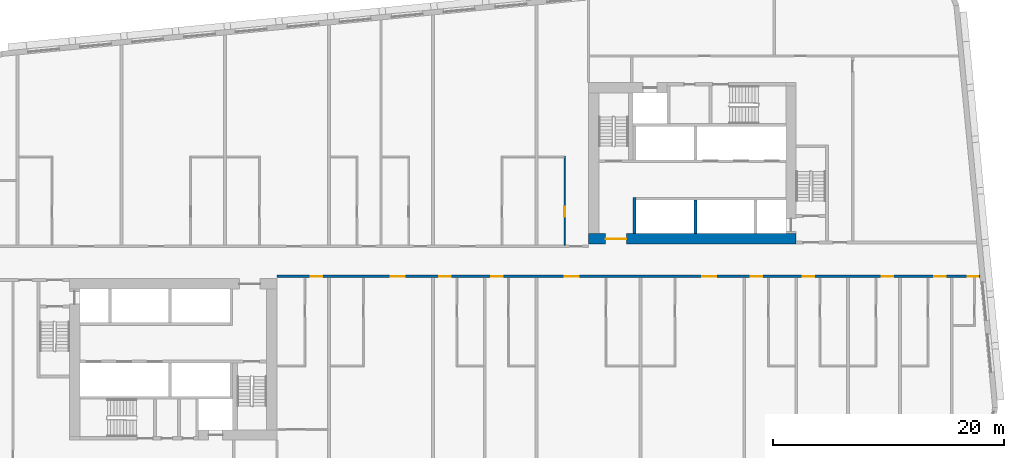
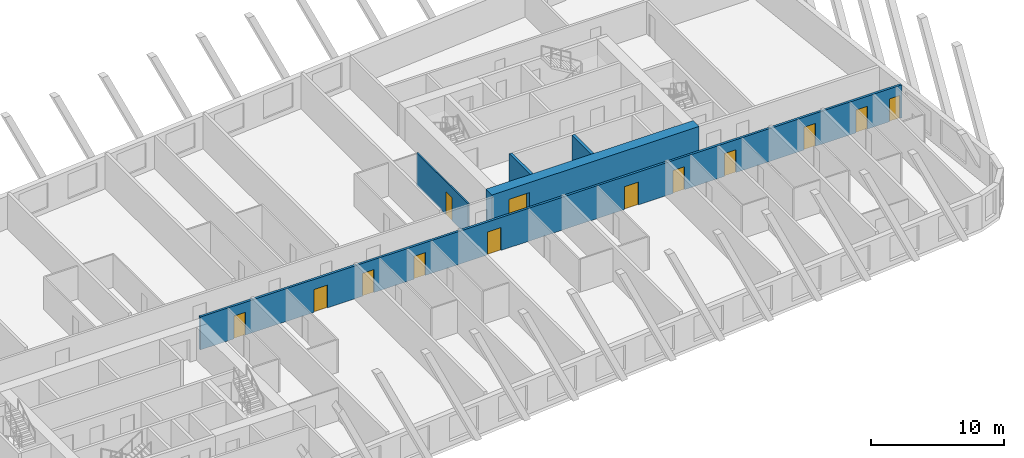
# One storey, part 5 of 13: 13 doors, 5 walls, 13 openings.
"""IFC4 building model written with IfcOpenShell, lengths in metres."""

from ifc_helpers import new_model, si_unit, direction, frame, frame_2d, origin, place, context, subcontext, project, spatial, rectangle, extrude, material, layer, layer_set, type_object, element, fill, save


model = new_model("IFC4")

# Units and contexts
model_context = context("Model", 3, precision=1e-05, world=origin(), true_north=direction((0.0, 1.0)))
body_context = subcontext(model_context, "Body", "Model", "MODEL_VIEW")
ifc_project = project(units=[si_unit("LENGTHUNIT", "METRE"), si_unit("AREAUNIT", "SQUARE_METRE"), si_unit("VOLUMEUNIT", "CUBIC_METRE"), si_unit("PLANEANGLEUNIT", "RADIAN"), si_unit("MASSUNIT", "GRAM", prefix="KILO")], contexts=[model_context])

# Site, building, storey
site_placement = place(None, origin())
site = spatial("IfcSite", under=ifc_project, at=site_placement, CompositionType="ELEMENT")
building_placement = place(site_placement, origin())
building = spatial("IfcBuilding", under=site, at=building_placement, Name="Kajstack Hotel Tower", CompositionType="ELEMENT")
storey_placement = place(building_placement, frame((0.0, 0.0, 130.60009765625)))
storey = spatial("IfcBuildingStorey", under=building, at=storey_placement, Name="L29", CompositionType="ELEMENT", Elevation=130.60009765625)

# Wall, opening, door
ifc_material_1 = material(Name="Concrete C60/75", Category="concrete")
ifc_layer_1 = layer(ifc_material_1, 0.89990234375)
ifc_layer_set_1 = layer_set([ifc_layer_1], Name="Core wall 900")
wall_type_1 = type_object("IfcWallType", Name="Core wall 900", PredefinedType="SHEAR", material=ifc_layer_set_1)
wall_1_placement = place(storey_placement, frame((13.5, 1.949951171875, 0.0), z_axis=(0.0, 0.0, 1.0), x_axis=(1.0, 0.0, 0.0)))
wall_1 = element("IfcWall", 1, at=wall_1_placement, inside=storey, type_object=wall_type_1, Name="Core wall E RN", PredefinedType="SHEAR", context=body_context, shape_type="SweptSolid", body=[
    extrude(rectangle(XDim=18.0, YDim=0.89990234375, at=frame_2d((9.0, 0.0))), origin(), (0.0, 0.0, 1.0), 3.02001953125),
])
opening_1_placement = place(wall_1_placement, frame((1.47509765625, 0.0, 0.0)))
opening_1 = element("IfcOpeningElement", 2, at=opening_1_placement, cuts=wall_1, Name="Opening 29E06", PredefinedType="OPENING", context=body_context, shape_type="SweptSolid", body=[
    extrude(rectangle(XDim=1.800048828125, YDim=2.10009765625, at=frame_2d((0.89990234375, 1.050048828125))), frame((0.0, 0.4599609375, 0.0), z_axis=(0.0, -1.0, 0.0), x_axis=(1.0, 0.0, 0.0)), (0.0, 0.0, 1.0), 0.919921875),
])
ifc_material_2 = material(Name="Glazed steel frame, fire-rated glass", Category="steel")
door_type_1 = type_object("IfcDoorType", Name="Lobby double door 1800", OperationType="DOUBLE_DOOR_DOUBLE_SWING", PredefinedType="DOOR", material=ifc_material_2)
door_1_placement = place(opening_1_placement, origin())
door_1 = element("IfcDoor", 3, at=door_1_placement, inside=storey, type_object=door_type_1, Name="Door 29E06", OperationType="DOUBLE_DOOR_DOUBLE_SWING", OverallHeight=2.10009765625, OverallWidth=1.800048828125, PredefinedType="DOOR", context=body_context, shape_type="SweptSolid", body=[
    extrude(rectangle(XDim=1.800048828125, YDim=2.10009765625, at=frame_2d((0.89990234375, 1.050048828125))), frame((0.0, 0.02490234375, 0.0), z_axis=(0.0, -1.0, 0.0), x_axis=(1.0, 0.0, 0.0)), (0.0, 0.0, 1.0), 0.050048828125),
])
fill(opening_1, door_1)

# Wall, openings, doors
ifc_material_3 = material(Name="Gypsum board on steel studs, mineral wool", Category="steel")
ifc_layer_2 = layer(ifc_material_3, 0.199951171875)
ifc_layer_set_2 = layer_set([ifc_layer_2], Name="Corridor wall 200")
wall_type_2 = type_object("IfcWallType", Name="Corridor wall 200", PredefinedType="PARTITIONING", material=ifc_layer_set_2)
wall_2_placement = place(storey_placement, frame((-13.5, -1.300048828125, 0.0), z_axis=(0.0, 0.0, 1.0), x_axis=(1.0, 0.0, 0.0)))
wall_2 = element("IfcWall", 4, at=wall_2_placement, inside=storey, type_object=wall_type_2, Name="G-wall-L29-021", PredefinedType="PARTITIONING", context=body_context, shape_type="SweptSolid", body=[
    extrude(rectangle(XDim=60.931884765625, YDim=0.199951171875, at=frame_2d((30.4658203125, 0.0))), origin(), (0.0, 0.0, 1.0), 3.02001953125),
])
opening_2_placement = place(wall_2_placement, frame((2.925048828125, 0.0, 0.0)))
opening_2 = element("IfcOpeningElement", 5, at=opening_2_placement, cuts=wall_2, Name="Opening 29017", PredefinedType="OPENING", context=body_context, shape_type="SweptSolid", body=[
    extrude(rectangle(XDim=1.0, YDim=2.10009765625, at=frame_2d((0.5, 1.050048828125))), frame((0.0, 0.10986328125, 0.0), z_axis=(0.0, -1.0, 0.0), x_axis=(1.0, 0.0, 0.0)), (0.0, 0.0, 1.0), 0.219970703125),
])
opening_3_placement = place(wall_2_placement, frame((9.863037109375, 0.0, 0.0)))
opening_3 = element("IfcOpeningElement", 6, at=opening_3_placement, cuts=wall_2, Name="Opening 29020", PredefinedType="OPENING", context=body_context, shape_type="SweptSolid", body=[
    extrude(rectangle(XDim=1.199951171875, YDim=2.10009765625, at=frame_2d((0.60009765625, 1.050048828125))), frame((0.0, 0.10986328125, 0.0), z_axis=(0.0, -1.0, 0.0), x_axis=(1.0, 0.0, 0.0)), (0.0, 0.0, 1.0), 0.219970703125),
])
opening_4_placement = place(wall_2_placement, frame((14.074951171875, 0.0, 0.0)))
opening_4 = element("IfcOpeningElement", 7, at=opening_4_placement, cuts=wall_2, Name="Opening 29022", PredefinedType="OPENING", context=body_context, shape_type="SweptSolid", body=[
    extrude(rectangle(XDim=1.0, YDim=2.10009765625, at=frame_2d((0.5, 1.050048828125))), frame((0.0, 0.10986328125, 0.0), z_axis=(0.0, -1.0, 0.0), x_axis=(1.0, 0.0, 0.0)), (0.0, 0.0, 1.0), 0.219970703125),
])
opening_5_placement = place(wall_2_placement, frame((18.550048828125, 0.0, 0.0)))
opening_5 = element("IfcOpeningElement", 8, at=opening_5_placement, cuts=wall_2, Name="Opening 29024", PredefinedType="OPENING", context=body_context, shape_type="SweptSolid", body=[
    extrude(rectangle(XDim=1.0, YDim=2.10009765625, at=frame_2d((0.5, 1.050048828125))), frame((0.0, 0.10986328125, 0.0), z_axis=(0.0, -1.0, 0.0), x_axis=(1.0, 0.0, 0.0)), (0.0, 0.0, 1.0), 0.219970703125),
])
opening_6_placement = place(wall_2_placement, frame((24.93798828125, 0.0, 0.0)))
opening_6 = element("IfcOpeningElement", 9, at=opening_6_placement, cuts=wall_2, Name="Opening 29026", PredefinedType="OPENING", context=body_context, shape_type="SweptSolid", body=[
    extrude(rectangle(XDim=1.199951171875, YDim=2.10009765625, at=frame_2d((0.60009765625, 1.050048828125))), frame((0.0, 0.10986328125, 0.0), z_axis=(0.0, -1.0, 0.0), x_axis=(1.0, 0.0, 0.0)), (0.0, 0.0, 1.0), 0.219970703125),
])
opening_7_placement = place(wall_2_placement, frame((36.862060546875, 0.0, 0.0)))
opening_7 = element("IfcOpeningElement", 10, at=opening_7_placement, cuts=wall_2, Name="Opening 29028", PredefinedType="OPENING", context=body_context, shape_type="SweptSolid", body=[
    extrude(rectangle(XDim=1.199951171875, YDim=2.10009765625, at=frame_2d((0.60009765625, 1.050048828125))), frame((0.0, 0.10986328125, 0.0), z_axis=(0.0, -1.0, 0.0), x_axis=(1.0, 0.0, 0.0)), (0.0, 0.0, 1.0), 0.219970703125),
])
opening_8_placement = place(wall_2_placement, frame((41.074951171875, 0.0, 0.0)))
opening_8 = element("IfcOpeningElement", 11, at=opening_8_placement, cuts=wall_2, Name="Opening 29030", PredefinedType="OPENING", context=body_context, shape_type="SweptSolid", body=[
    extrude(rectangle(XDim=1.0, YDim=2.10009765625, at=frame_2d((0.5, 1.050048828125))), frame((0.0, 0.10986328125, 0.0), z_axis=(0.0, -1.0, 0.0), x_axis=(1.0, 0.0, 0.0)), (0.0, 0.0, 1.0), 0.219970703125),
])
opening_9_placement = place(wall_2_placement, frame((45.550048828125, 0.0, 0.0)))
opening_9 = element("IfcOpeningElement", 12, at=opening_9_placement, cuts=wall_2, Name="Opening 29032", PredefinedType="OPENING", context=body_context, shape_type="SweptSolid", body=[
    extrude(rectangle(XDim=1.0, YDim=2.10009765625, at=frame_2d((0.5, 1.050048828125))), frame((0.0, 0.10986328125, 0.0), z_axis=(0.0, -1.0, 0.0), x_axis=(1.0, 0.0, 0.0)), (0.0, 0.0, 1.0), 0.219970703125),
])
opening_10_placement = place(wall_2_placement, frame((52.425048828125, 0.0, 0.0)))
opening_10 = element("IfcOpeningElement", 13, at=opening_10_placement, cuts=wall_2, Name="Opening 29034", PredefinedType="OPENING", context=body_context, shape_type="SweptSolid", body=[
    extrude(rectangle(XDim=1.0, YDim=2.10009765625, at=frame_2d((0.5, 1.050048828125))), frame((0.0, 0.10986328125, 0.0), z_axis=(0.0, -1.0, 0.0), x_axis=(1.0, 0.0, 0.0)), (0.0, 0.0, 1.0), 0.219970703125),
])
opening_11_placement = place(wall_2_placement, frame((56.949951171875, 0.0, 0.0)))
opening_11 = element("IfcOpeningElement", 14, at=opening_11_placement, cuts=wall_2, Name="Opening 29037", PredefinedType="OPENING", context=body_context, shape_type="SweptSolid", body=[
    extrude(rectangle(XDim=1.0, YDim=2.10009765625, at=frame_2d((0.5, 1.050048828125))), frame((0.0, 0.10986328125, 0.0), z_axis=(0.0, -1.0, 0.0), x_axis=(1.0, 0.0, 0.0)), (0.0, 0.0, 1.0), 0.219970703125),
])
opening_12_placement = place(wall_2_placement, frame((59.882080078125, 0.0, 0.0)))
opening_12 = element("IfcOpeningElement", 15, at=opening_12_placement, cuts=wall_2, Name="Opening 29039", PredefinedType="OPENING", context=body_context, shape_type="SweptSolid", body=[
    extrude(rectangle(XDim=0.89990234375, YDim=2.10009765625, at=frame_2d((0.449951171875, 1.050048828125))), frame((0.0, 0.10986328125, 0.0), z_axis=(0.0, -1.0, 0.0), x_axis=(1.0, 0.0, 0.0)), (0.0, 0.0, 1.0), 0.219970703125),
])
ifc_material_4 = material(Name="Oak veneer on timber core, fire-rated leaf", Category="wood")
door_type_2 = type_object("IfcDoorType", Name="Flat entrance door 1000", OperationType="SINGLE_SWING_LEFT", PredefinedType="DOOR", material=ifc_material_4)
door_2_placement = place(opening_2_placement, origin())
door_2 = element("IfcDoor", 16, at=door_2_placement, inside=storey, type_object=door_type_2, Name="G-door-L29-17", OperationType="SINGLE_SWING_RIGHT", OverallHeight=2.10009765625, OverallWidth=1.0, PredefinedType="DOOR", context=body_context, shape_type="SweptSolid", body=[
    extrude(rectangle(XDim=1.0, YDim=2.10009765625, at=frame_2d((0.5, 1.050048828125))), frame((0.0, 0.02490234375, 0.0), z_axis=(0.0, -1.0, 0.0), x_axis=(1.0, 0.0, 0.0)), (0.0, 0.0, 1.0), 0.050048828125),
])
fill(opening_2, door_2)
door_3_placement = place(opening_4_placement, origin())
door_3 = element("IfcDoor", 17, at=door_3_placement, inside=storey, type_object=door_type_2, Name="G-door-L29-22", OperationType="SINGLE_SWING_RIGHT", OverallHeight=2.10009765625, OverallWidth=1.0, PredefinedType="DOOR", context=body_context, shape_type="SweptSolid", body=[
    extrude(rectangle(XDim=1.0, YDim=2.10009765625, at=frame_2d((0.5, 1.050048828125))), frame((0.0, 0.02490234375, 0.0), z_axis=(0.0, -1.0, 0.0), x_axis=(1.0, 0.0, 0.0)), (0.0, 0.0, 1.0), 0.050048828125),
])
fill(opening_4, door_3)
door_4_placement = place(opening_5_placement, origin())
door_4 = element("IfcDoor", 18, at=door_4_placement, inside=storey, type_object=door_type_2, Name="G-door-L29-24", OperationType="SINGLE_SWING_LEFT", OverallHeight=2.10009765625, OverallWidth=1.0, PredefinedType="DOOR", context=body_context, shape_type="SweptSolid", body=[
    extrude(rectangle(XDim=1.0, YDim=2.10009765625, at=frame_2d((0.5, 1.050048828125))), frame((0.0, 0.02490234375, 0.0), z_axis=(0.0, -1.0, 0.0), x_axis=(1.0, 0.0, 0.0)), (0.0, 0.0, 1.0), 0.050048828125),
])
fill(opening_5, door_4)
door_5_placement = place(opening_8_placement, origin())
door_5 = element("IfcDoor", 19, at=door_5_placement, inside=storey, type_object=door_type_2, Name="G-door-L29-30", OperationType="SINGLE_SWING_LEFT", OverallHeight=2.10009765625, OverallWidth=1.0, PredefinedType="DOOR", context=body_context, shape_type="SweptSolid", body=[
    extrude(rectangle(XDim=1.0, YDim=2.10009765625, at=frame_2d((0.5, 1.050048828125))), frame((0.0, 0.02490234375, 0.0), z_axis=(0.0, -1.0, 0.0), x_axis=(1.0, 0.0, 0.0)), (0.0, 0.0, 1.0), 0.050048828125),
])
fill(opening_8, door_5)
door_6_placement = place(opening_9_placement, origin())
door_6 = element("IfcDoor", 20, at=door_6_placement, inside=storey, type_object=door_type_2, Name="G-door-L29-32", OperationType="SINGLE_SWING_LEFT", OverallHeight=2.10009765625, OverallWidth=1.0, PredefinedType="DOOR", context=body_context, shape_type="SweptSolid", body=[
    extrude(rectangle(XDim=1.0, YDim=2.10009765625, at=frame_2d((0.5, 1.050048828125))), frame((0.0, 0.02490234375, 0.0), z_axis=(0.0, -1.0, 0.0), x_axis=(1.0, 0.0, 0.0)), (0.0, 0.0, 1.0), 0.050048828125),
])
fill(opening_9, door_6)
door_7_placement = place(opening_10_placement, origin())
door_7 = element("IfcDoor", 21, at=door_7_placement, inside=storey, type_object=door_type_2, Name="G-door-L29-34", OperationType="SINGLE_SWING_LEFT", OverallHeight=2.10009765625, OverallWidth=1.0, PredefinedType="DOOR", context=body_context, shape_type="SweptSolid", body=[
    extrude(rectangle(XDim=1.0, YDim=2.10009765625, at=frame_2d((0.5, 1.050048828125))), frame((0.0, 0.02490234375, 0.0), z_axis=(0.0, -1.0, 0.0), x_axis=(1.0, 0.0, 0.0)), (0.0, 0.0, 1.0), 0.050048828125),
])
fill(opening_10, door_7)
door_8_placement = place(opening_11_placement, origin())
door_8 = element("IfcDoor", 22, at=door_8_placement, inside=storey, type_object=door_type_2, Name="G-door-L29-37", OperationType="SINGLE_SWING_LEFT", OverallHeight=2.10009765625, OverallWidth=1.0, PredefinedType="DOOR", context=body_context, shape_type="SweptSolid", body=[
    extrude(rectangle(XDim=1.0, YDim=2.10009765625, at=frame_2d((0.5, 1.050048828125))), frame((0.0, 0.02490234375, 0.0), z_axis=(0.0, -1.0, 0.0), x_axis=(1.0, 0.0, 0.0)), (0.0, 0.0, 1.0), 0.050048828125),
])
fill(opening_11, door_8)
door_type_3 = type_object("IfcDoorType", Name="Flat entrance door 1200", OperationType="SINGLE_SWING_LEFT", PredefinedType="DOOR", material=ifc_material_4)
door_9_placement = place(opening_3_placement, origin())
door_9 = element("IfcDoor", 23, at=door_9_placement, inside=storey, type_object=door_type_3, Name="G-door-L29-20", OperationType="SINGLE_SWING_LEFT", OverallHeight=2.10009765625, OverallWidth=1.199951171875, PredefinedType="DOOR", context=body_context, shape_type="SweptSolid", body=[
    extrude(rectangle(XDim=1.199951171875, YDim=2.10009765625, at=frame_2d((0.60009765625, 1.050048828125))), frame((0.0, 0.02490234375, 0.0), z_axis=(0.0, -1.0, 0.0), x_axis=(1.0, 0.0, 0.0)), (0.0, 0.0, 1.0), 0.050048828125),
])
fill(opening_3, door_9)
door_10_placement = place(opening_6_placement, origin())
door_10 = element("IfcDoor", 24, at=door_10_placement, inside=storey, type_object=door_type_3, Name="G-door-L29-26", OperationType="SINGLE_SWING_RIGHT", OverallHeight=2.10009765625, OverallWidth=1.199951171875, PredefinedType="DOOR", context=body_context, shape_type="SweptSolid", body=[
    extrude(rectangle(XDim=1.199951171875, YDim=2.10009765625, at=frame_2d((0.60009765625, 1.050048828125))), frame((0.0, 0.02490234375, 0.0), z_axis=(0.0, -1.0, 0.0), x_axis=(1.0, 0.0, 0.0)), (0.0, 0.0, 1.0), 0.050048828125),
])
fill(opening_6, door_10)
door_11_placement = place(opening_7_placement, origin())
door_11 = element("IfcDoor", 25, at=door_11_placement, inside=storey, type_object=door_type_3, Name="G-door-L29-28", OperationType="SINGLE_SWING_RIGHT", OverallHeight=2.10009765625, OverallWidth=1.199951171875, PredefinedType="DOOR", context=body_context, shape_type="SweptSolid", body=[
    extrude(rectangle(XDim=1.199951171875, YDim=2.10009765625, at=frame_2d((0.60009765625, 1.050048828125))), frame((0.0, 0.02490234375, 0.0), z_axis=(0.0, -1.0, 0.0), x_axis=(1.0, 0.0, 0.0)), (0.0, 0.0, 1.0), 0.050048828125),
])
fill(opening_7, door_11)
ifc_material_5 = material(Name="Painted timber door leaf", Category="wood")
door_type_4 = type_object("IfcDoorType", Name="Room door 900", OperationType="SINGLE_SWING_LEFT", PredefinedType="DOOR", material=ifc_material_5)
door_12_placement = place(opening_12_placement, origin())
door_12 = element("IfcDoor", 26, at=door_12_placement, inside=storey, type_object=door_type_4, Name="G-door-L29-39", OperationType="SINGLE_SWING_RIGHT", OverallHeight=2.10009765625, OverallWidth=0.89990234375, PredefinedType="DOOR", context=body_context, shape_type="SweptSolid", body=[
    extrude(rectangle(XDim=0.89990234375, YDim=2.10009765625, at=frame_2d((0.449951171875, 1.050048828125))), frame((0.0, 0.02490234375, 0.0), z_axis=(0.0, -1.0, 0.0), x_axis=(1.0, 0.0, 0.0)), (0.0, 0.0, 1.0), 0.050048828125),
])
fill(opening_12, door_12)

# Wall, opening, door
ifc_material_6 = material(Name="Gypsum board and tiled backer on steel studs", Category="steel")
ifc_layer_3 = layer(ifc_material_6, 0.125)
ifc_layer_set_3 = layer_set([ifc_layer_3], Name="En-suite wall 125")
wall_type_3 = type_object("IfcWallType", Name="En-suite wall 125", PredefinedType="PARTITIONING", material=ifc_layer_set_3)
wall_3_placement = place(storey_placement, frame((11.43798828125, 1.39990234375, 0.0), z_axis=(0.0, 0.0, 1.0), x_axis=(0.0, 1.0, 0.0)))
wall_3 = element("IfcWall", 27, at=wall_3_placement, inside=storey, type_object=wall_type_3, Name="G-wall-L29-019", PredefinedType="PARTITIONING", context=body_context, shape_type="SweptSolid", body=[
    extrude(rectangle(XDim=7.72509765625, YDim=0.125, at=frame_2d((3.862548828125, 0.0))), origin(), (0.0, 0.0, 1.0), 3.02001953125),
])
opening_13_placement = place(wall_3_placement, frame((2.449951171875, 0.0, 0.0)))
opening_13 = element("IfcOpeningElement", 28, at=opening_13_placement, cuts=wall_3, Name="Opening 29016", PredefinedType="OPENING", context=body_context, shape_type="SweptSolid", body=[
    extrude(rectangle(XDim=0.89990234375, YDim=2.10009765625, at=frame_2d((0.449951171875, 1.050048828125))), frame((0.0, 0.072509765625, 0.0), z_axis=(0.0, -1.0, 0.0), x_axis=(1.0, 0.0, 0.0)), (0.0, 0.0, 1.0), 0.14501953125),
])
door_13_placement = place(opening_13_placement, origin())
door_13 = element("IfcDoor", 29, at=door_13_placement, inside=storey, type_object=door_type_4, Name="G-door-L29-16", OperationType="SINGLE_SWING_RIGHT", OverallHeight=2.10009765625, OverallWidth=0.89990234375, PredefinedType="DOOR", context=body_context, shape_type="SweptSolid", body=[
    extrude(rectangle(XDim=0.89990234375, YDim=2.10009765625, at=frame_2d((0.449951171875, 1.050048828125))), frame((0.0, 0.02490234375, 0.0), z_axis=(0.0, -1.0, 0.0), x_axis=(1.0, 0.0, 0.0)), (0.0, 0.0, 1.0), 0.050048828125),
])
fill(opening_13, door_13)

# Walls
ifc_material_7 = material(Name="Concrete C50/60", Category="concrete")
ifc_layer_4 = layer(ifc_material_7, 0.300048828125)
ifc_layer_set_4 = layer_set([ifc_layer_4], Name="Hoistway divider wall 300")
wall_type_4 = type_object("IfcWallType", Name="Hoistway divider wall 300", PredefinedType="SHEAR", material=ifc_layer_set_4)
wall_4_placement = place(storey_placement, frame((22.77490234375, 2.39990234375, 0.0), z_axis=(0.0, 0.0, 1.0), x_axis=(0.0, 1.0, 0.0)))
element("IfcWall", 30, at=wall_4_placement, inside=storey, type_object=wall_type_4, Name="Core wall E AP2", PredefinedType="SHEAR", context=body_context, shape_type="SweptSolid", body=[
    extrude(rectangle(XDim=2.900146484375, YDim=0.25, at=frame_2d((1.4501953125, 0.0))), origin(), (0.0, 0.0, 1.0), 3.02001953125),
])
ifc_layer_5 = layer(ifc_material_7, 0.25)
ifc_layer_set_5 = layer_set([ifc_layer_5], Name="Shaft wall 250")
wall_type_5 = type_object("IfcWallType", Name="Shaft wall 250", PredefinedType="SHEAR", material=ifc_layer_set_5)
wall_5_placement = place(storey_placement, frame((17.47509765625, 2.39990234375, 0.0), z_axis=(0.0, 0.0, 1.0), x_axis=(0.0, 1.0, 0.0)))
element("IfcWall", 31, at=wall_5_placement, inside=storey, type_object=wall_type_5, Name="Core wall E AE", PredefinedType="SHEAR", context=body_context, shape_type="SweptSolid", body=[
    extrude(rectangle(XDim=3.150146484375, YDim=0.25, at=frame_2d((1.5751953125, 0.0))), origin(), (0.0, 0.0, 1.0), 3.02001953125),
])

save(model, "model.ifc")
